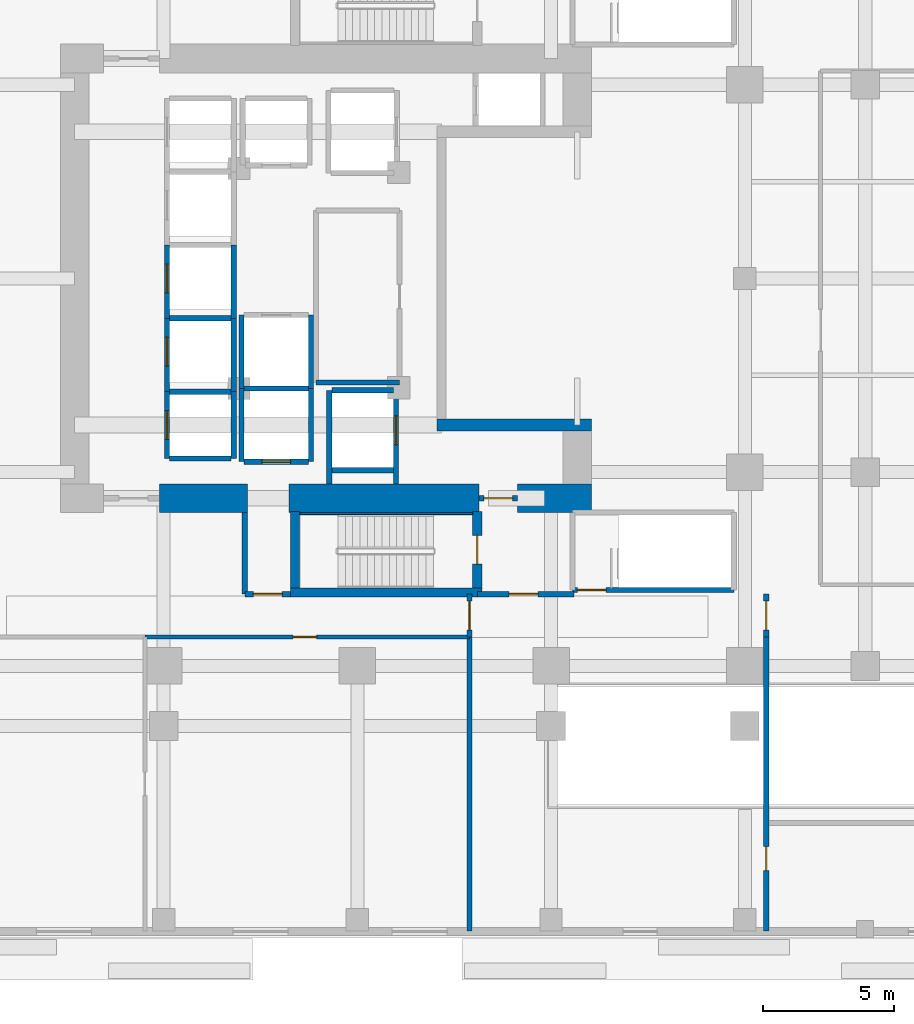
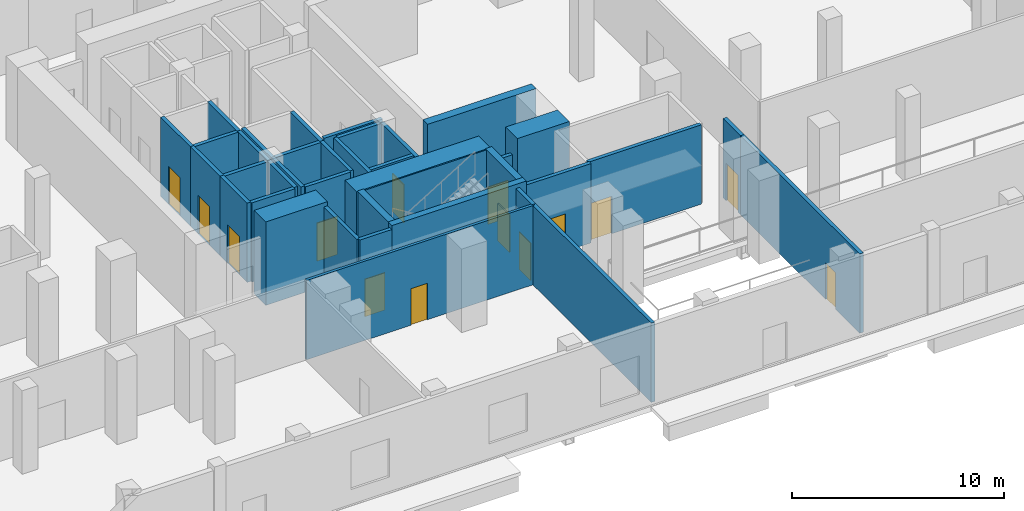
# One storey, part 14 of 24: 38 walls, 14 doors, 14 openings.
"""IFC4 building model written with IfcOpenShell, lengths in metres."""

from ifc_helpers import new_model, si_unit, direction, frame, frame_2d, origin, place, context, subcontext, project, spatial, rectangle, extrude, material, layer, layer_set, type_object, element, fill, save


model = new_model("IFC4")

# Units and contexts
model_context = context("Model", 3, precision=1e-05, world=origin(), true_north=direction((0.0, 1.0)))
body_context = subcontext(model_context, "Body", "Model", "MODEL_VIEW")
ifc_project = project(units=[si_unit("LENGTHUNIT", "METRE"), si_unit("AREAUNIT", "SQUARE_METRE"), si_unit("VOLUMEUNIT", "CUBIC_METRE"), si_unit("PLANEANGLEUNIT", "RADIAN"), si_unit("MASSUNIT", "GRAM", prefix="KILO")], contexts=[model_context])

# Site, building, storey
site_placement = place(None, origin())
site = spatial("IfcSite", under=ifc_project, at=site_placement, CompositionType="ELEMENT")
building_placement = place(site_placement, origin())
building = spatial("IfcBuilding", under=site, at=building_placement, Name="Khorvyn Point Tower", CompositionType="ELEMENT")
storey_placement = place(building_placement, origin())
storey = spatial("IfcBuildingStorey", under=building, at=storey_placement, Name="L01", CompositionType="ELEMENT", Elevation=0.0)

# Wall
ifc_material_1 = material(Name="Concrete C40/50", Category="concrete")
ifc_layer_1 = layer(ifc_material_1, 0.449951171875)
ifc_layer_set_1 = layer_set([ifc_layer_1], Name="Concrete C40/50 Core Shear Wall 450")
wall_type_1 = type_object("IfcWallType", Name="Concrete C40/50 Core Shear Wall 450", PredefinedType="SHEAR", material=ifc_layer_set_1)
wall_1_placement = place(storey_placement, frame((3.044921875, -5.60009765625, 0.0), z_axis=(0.0, 0.0, 1.0), x_axis=(1.0, 0.0, 0.0)))
element("IfcWall", 1, at=wall_1_placement, inside=storey, type_object=wall_type_1, Name="Wall", PredefinedType="SHEAR", context=body_context, shape_type="SweptSolid", body=[
    extrude(rectangle(XDim=5.905029296875, YDim=0.449951171875, at=frame_2d((2.95263671875, 0.0))), origin(), (0.0, 0.0, 1.0), 4.800048828125),
])

# Wall, opening, door
ifc_layer_2 = layer(ifc_material_1, 0.199951171875)
ifc_layer_set_2 = layer_set([ifc_layer_2], Name="Concrete C40/50 Fire-Lobby Compartment Wall 200")
wall_type_2 = type_object("IfcWallType", Name="Concrete C40/50 Fire-Lobby Compartment Wall 200", PredefinedType="SOLIDWALL", material=ifc_layer_set_2)
wall_2_placement = place(storey_placement, frame((4.580078125, -12.06005859375, 0.0), z_axis=(0.0, 0.0, 1.0), x_axis=(1.0, 0.0, 0.0)))
wall_2 = element("IfcWall", 2, at=wall_2_placement, inside=storey, type_object=wall_type_2, Name="Wall", PredefinedType="SOLIDWALL", context=body_context, shape_type="SweptSolid", body=[
    extrude(rectangle(XDim=3.699951171875, YDim=0.199951171875, at=frame_2d((1.85009765625, 0.0))), origin(), (0.0, 0.0, 1.0), 4.56005859375),
])
opening_1_placement = place(wall_2_placement, frame((1.21240234375, 0.0, 0.0)))
opening_1 = element("IfcOpeningElement", 3, at=opening_1_placement, cuts=wall_2, Name="Opening ID-FL90", PredefinedType="OPENING", context=body_context, shape_type="SweptSolid", body=[
    extrude(rectangle(XDim=1.10009765625, YDim=2.14990234375, at=frame_2d((0.550048828125, 1.074951171875))), frame((0.0, 0.10986328125, 0.0), z_axis=(0.0, -1.0, 0.0), x_axis=(1.0, 0.0, 0.0)), (0.0, 0.0, 1.0), 0.219970703125),
])
ifc_material_2 = material(Name="Galvanised powder-coated steel", Category="steel")
door_type_1 = type_object("IfcDoorType", Name="Fire-Rated Steel Lobby and Stair Door 1100x2150", OperationType="NOTDEFINED", PredefinedType="DOOR", material=ifc_material_2)
door_1_placement = place(opening_1_placement, origin())
door_1 = element("IfcDoor", 4, at=door_1_placement, inside=storey, type_object=door_type_1, Name="Door", OperationType="SINGLE_SWING_RIGHT", OverallHeight=2.14990234375, OverallWidth=1.10009765625, PredefinedType="DOOR", context=body_context, shape_type="SweptSolid", body=[
    extrude(rectangle(XDim=1.10009765625, YDim=2.14990234375, at=frame_2d((0.550048828125, 1.074951171875))), frame((0.0, 0.02490234375, 0.0), z_axis=(0.0, -1.0, 0.0), x_axis=(1.0, 0.0, 0.0)), (0.0, 0.0, 1.0), 0.050048828125),
])
fill(opening_1, door_1)

wall_3_placement = place(storey_placement, frame((4.64990234375, -8.39990234375, 0.0), z_axis=(0.0, 0.0, 1.0), x_axis=(1.0, 0.0, 0.0)))
wall_3 = element("IfcWall", 5, at=wall_3_placement, inside=storey, type_object=wall_type_2, Name="Wall", PredefinedType="SOLIDWALL", context=body_context, shape_type="SweptSolid", body=[
    extrude(rectangle(XDim=1.47021484375, YDim=0.199951171875, at=frame_2d((0.735107421875, 0.0))), origin(), (0.0, 0.0, 1.0), 3.60009765625),
])
opening_2_placement = place(wall_3_placement, frame((0.18505859375, 0.0, 0.0)))
opening_2 = element("IfcOpeningElement", 6, at=opening_2_placement, cuts=wall_3, Name="Opening ID-FL90", PredefinedType="OPENING", context=body_context, shape_type="SweptSolid", body=[
    extrude(rectangle(XDim=1.10009765625, YDim=2.14990234375, at=frame_2d((0.550048828125, 1.074951171875))), frame((0.0, 0.10986328125, 0.0), z_axis=(0.0, -1.0, 0.0), x_axis=(1.0, 0.0, 0.0)), (0.0, 0.0, 1.0), 0.219970703125),
])
door_2_placement = place(opening_2_placement, origin())
door_2 = element("IfcDoor", 7, at=door_2_placement, inside=storey, type_object=door_type_1, Name="Door", OperationType="SINGLE_SWING_LEFT", OverallHeight=2.14990234375, OverallWidth=1.10009765625, PredefinedType="DOOR", context=body_context, shape_type="SweptSolid", body=[
    extrude(rectangle(XDim=1.10009765625, YDim=2.14990234375, at=frame_2d((0.550048828125, 1.074951171875))), frame((0.0, 0.02490234375, 0.0), z_axis=(0.0, -1.0, 0.0), x_axis=(1.0, 0.0, 0.0)), (0.0, 0.0, 1.0), 0.050048828125),
])
fill(opening_2, door_2)

wall_4_placement = place(storey_placement, frame((-4.300048828125, -12.06005859375, 0.0), z_axis=(0.0, 0.0, 1.0), x_axis=(1.0, 0.0, 0.0)))
wall_4 = element("IfcWall", 8, at=wall_4_placement, inside=storey, type_object=wall_type_2, Name="Wall", PredefinedType="SOLIDWALL", context=body_context, shape_type="SweptSolid", body=[
    extrude(rectangle(XDim=1.75, YDim=0.199951171875, at=frame_2d((0.875, 0.0))), origin(), (0.0, 0.0, 1.0), 4.56005859375),
])
opening_3_placement = place(wall_4_placement, frame((0.324951171875, 0.0, 0.0)))
opening_3 = element("IfcOpeningElement", 9, at=opening_3_placement, cuts=wall_4, Name="Opening ID-FL90", PredefinedType="OPENING", context=body_context, shape_type="SweptSolid", body=[
    extrude(rectangle(XDim=1.10009765625, YDim=2.14990234375, at=frame_2d((0.550048828125, 1.074951171875))), frame((0.0, 0.10986328125, 0.0), z_axis=(0.0, -1.0, 0.0), x_axis=(1.0, 0.0, 0.0)), (0.0, 0.0, 1.0), 0.219970703125),
])
door_3_placement = place(opening_3_placement, origin())
door_3 = element("IfcDoor", 10, at=door_3_placement, inside=storey, type_object=door_type_1, Name="Door", OperationType="SINGLE_SWING_LEFT", OverallHeight=2.14990234375, OverallWidth=1.10009765625, PredefinedType="DOOR", context=body_context, shape_type="SweptSolid", body=[
    extrude(rectangle(XDim=1.10009765625, YDim=2.14990234375, at=frame_2d((0.550048828125, 1.074951171875))), frame((0.0, 0.02490234375, 0.0), z_axis=(0.0, -1.0, 0.0), x_axis=(1.0, 0.0, 0.0)), (0.0, 0.0, 1.0), 0.050048828125),
])
fill(opening_3, door_3)

wall_5_placement = place(storey_placement, frame((4.280029296875, -13.699951171875, 0.0), z_axis=(0.0, 0.0, 1.0), x_axis=(0.0, 1.0, 0.0)))
wall_5 = element("IfcWall", 11, at=wall_5_placement, inside=storey, type_object=wall_type_2, Name="Wall", PredefinedType="SOLIDWALL", context=body_context, shape_type="SweptSolid", body=[
    extrude(rectangle(XDim=1.639892578125, YDim=0.199951171875, at=frame_2d((0.81982421875, 0.0))), origin(), (0.0, 0.0, 1.0), 4.56005859375),
])
opening_4_placement = place(wall_5_placement, frame((0.27001953125, 0.0, 0.0)))
opening_4 = element("IfcOpeningElement", 12, at=opening_4_placement, cuts=wall_5, Name="Opening ID-FL90", PredefinedType="OPENING", context=body_context, shape_type="SweptSolid", body=[
    extrude(rectangle(XDim=1.10009765625, YDim=2.14990234375, at=frame_2d((0.550048828125, 1.074951171875))), frame((0.0, 0.10986328125, 0.0), z_axis=(0.0, -1.0, 0.0), x_axis=(1.0, 0.0, 0.0)), (0.0, 0.0, 1.0), 0.219970703125),
])
door_4_placement = place(opening_4_placement, origin())
door_4 = element("IfcDoor", 13, at=door_4_placement, inside=storey, type_object=door_type_1, Name="Door", OperationType="SINGLE_SWING_RIGHT", OverallHeight=2.14990234375, OverallWidth=1.10009765625, PredefinedType="DOOR", context=body_context, shape_type="SweptSolid", body=[
    extrude(rectangle(XDim=1.10009765625, YDim=2.14990234375, at=frame_2d((0.550048828125, 1.074951171875))), frame((0.0, 0.02490234375, 0.0), z_axis=(0.0, -1.0, 0.0), x_axis=(1.0, 0.0, 0.0)), (0.0, 0.0, 1.0), 0.050048828125),
])
fill(opening_4, door_4)

wall_6_placement = place(storey_placement, frame((15.6201171875, -13.699951171875, 0.0), z_axis=(0.0, 0.0, 1.0), x_axis=(0.0, 1.0, 0.0)))
wall_6 = element("IfcWall", 14, at=wall_6_placement, inside=storey, type_object=wall_type_2, Name="Wall", PredefinedType="SOLIDWALL", context=body_context, shape_type="SweptSolid", body=[
    extrude(rectangle(XDim=1.639892578125, YDim=0.199951171875, at=frame_2d((0.81982421875, 0.0))), origin(), (0.0, 0.0, 1.0), 4.56005859375),
])
opening_5_placement = place(wall_6_placement, frame((0.27001953125, 0.0, 0.0)))
opening_5 = element("IfcOpeningElement", 15, at=opening_5_placement, cuts=wall_6, Name="Opening ID-FL90", PredefinedType="OPENING", context=body_context, shape_type="SweptSolid", body=[
    extrude(rectangle(XDim=1.10009765625, YDim=2.14990234375, at=frame_2d((0.550048828125, 1.074951171875))), frame((0.0, 0.10986328125, 0.0), z_axis=(0.0, -1.0, 0.0), x_axis=(1.0, 0.0, 0.0)), (0.0, 0.0, 1.0), 0.219970703125),
])
door_5_placement = place(opening_5_placement, origin())
door_5 = element("IfcDoor", 16, at=door_5_placement, inside=storey, type_object=door_type_1, Name="Door", OperationType="SINGLE_SWING_LEFT", OverallHeight=2.14990234375, OverallWidth=1.10009765625, PredefinedType="DOOR", context=body_context, shape_type="SweptSolid", body=[
    extrude(rectangle(XDim=1.10009765625, YDim=2.14990234375, at=frame_2d((0.550048828125, 1.074951171875))), frame((0.0, 0.02490234375, 0.0), z_axis=(0.0, -1.0, 0.0), x_axis=(1.0, 0.0, 0.0)), (0.0, 0.0, 1.0), 0.050048828125),
])
fill(opening_5, door_5)

wall_7_placement = place(storey_placement, frame((15.6201171875, -24.919921875, 0.0), z_axis=(0.0, 0.0, 1.0), x_axis=(0.0, 1.0, 0.0)))
wall_7 = element("IfcWall", 17, at=wall_7_placement, inside=storey, type_object=wall_type_2, Name="Wall", PredefinedType="SOLIDWALL", context=body_context, shape_type="SweptSolid", body=[
    extrude(rectangle(XDim=11.219970703125, YDim=0.199951171875, at=frame_2d((5.60986328125, 0.0))), origin(), (0.0, 0.0, 1.0), 4.56005859375),
])
opening_6_placement = place(wall_7_placement, frame((2.298583984375, 0.0, 0.0)))
opening_6 = element("IfcOpeningElement", 18, at=opening_6_placement, cuts=wall_7, Name="Opening ID-RS60", PredefinedType="OPENING", context=body_context, shape_type="SweptSolid", body=[
    extrude(rectangle(XDim=0.919921875, YDim=2.10009765625, at=frame_2d((0.4599609375, 1.050048828125))), frame((0.0, 0.10986328125, 0.0), z_axis=(0.0, -1.0, 0.0), x_axis=(1.0, 0.0, 0.0)), (0.0, 0.0, 1.0), 0.219970703125),
])
door_type_2 = type_object("IfcDoorType", Name="Fire-Rated Riser and Store Steel Door 920x2100", OperationType="NOTDEFINED", PredefinedType="DOOR", material=ifc_material_2)
door_6_placement = place(opening_6_placement, origin())
door_6 = element("IfcDoor", 19, at=door_6_placement, inside=storey, type_object=door_type_2, Name="Door", OperationType="SINGLE_SWING_LEFT", OverallHeight=2.10009765625, OverallWidth=0.919921875, PredefinedType="DOOR", context=body_context, shape_type="SweptSolid", body=[
    extrude(rectangle(XDim=0.919921875, YDim=2.10009765625, at=frame_2d((0.4599609375, 1.050048828125))), frame((0.0, 0.02490234375, 0.0), z_axis=(0.0, -1.0, 0.0), x_axis=(1.0, 0.0, 0.0)), (0.0, 0.0, 1.0), 0.050048828125),
])
fill(opening_6, door_6)

# Walls
wall_8_placement = place(storey_placement, frame((-4.300048828125, -12.06005859375, 0.0), z_axis=(0.0, 0.0, 1.0), x_axis=(0.0, 1.0, 0.0)))
element("IfcWall", 20, at=wall_8_placement, inside=storey, type_object=wall_type_2, Name="Wall", PredefinedType="SOLIDWALL", context=body_context, shape_type="SweptSolid", body=[
    extrude(rectangle(XDim=3.110107421875, YDim=0.199951171875, at=frame_2d((1.55517578125, 0.0))), origin(), (0.0, 0.0, 1.0), 4.56005859375),
])
wall_9_placement = place(storey_placement, frame((-1.580078125, -3.97998046875, 0.0), z_axis=(0.0, 0.0, 1.0), x_axis=(1.0, 0.0, 0.0)))
element("IfcWall", 21, at=wall_9_placement, inside=storey, type_object=wall_type_2, Name="Wall", PredefinedType="SOLIDWALL", context=body_context, shape_type="SweptSolid", body=[
    extrude(rectangle(XDim=3.190185546875, YDim=0.199951171875, at=frame_2d((1.59521484375, 0.0))), origin(), (0.0, 0.0, 1.0), 4.56005859375),
])
wall_10_placement = place(storey_placement, frame((4.280029296875, -24.919921875, 0.0), z_axis=(0.0, 0.0, 1.0), x_axis=(0.0, 1.0, 0.0)))
element("IfcWall", 22, at=wall_10_placement, inside=storey, type_object=wall_type_2, Name="Wall", PredefinedType="SOLIDWALL", context=body_context, shape_type="SweptSolid", body=[
    extrude(rectangle(XDim=11.219970703125, YDim=0.199951171875, at=frame_2d((5.60986328125, 0.0))), origin(), (0.0, 0.0, 1.0), 4.56005859375),
])
ifc_layer_3 = layer(ifc_material_1, 0.25)
ifc_layer_set_3 = layer_set([ifc_layer_3], Name="Concrete C40/50 Stair Inner Cheek Structural Wall 250")
wall_type_3 = type_object("IfcWallType", Name="Concrete C40/50 Stair Inner Cheek Structural Wall 250", PredefinedType="SHEAR", material=ifc_layer_set_3)
wall_11_placement = place(storey_placement, frame((-2.199951171875, -8.987548828125, 0.0), z_axis=(0.0, 0.0, 1.0), x_axis=(1.0, 0.0, 0.0)))
element("IfcWall", 23, at=wall_11_placement, inside=storey, type_object=wall_type_3, Name="Wall", PredefinedType="SHEAR", context=body_context, shape_type="SweptSolid", body=[
    extrude(rectangle(XDim=6.599853515625, YDim=0.074951171875, at=frame_2d((3.2998046875, 0.0))), origin(), (0.0, 0.0, 1.0), 4.800048828125),
])
ifc_layer_4 = layer(ifc_material_1, 0.35009765625)
ifc_layer_set_4 = layer_set([ifc_layer_4], Name="Concrete C40/50 Stair Shaft Structural Wall 350")
wall_type_4 = type_object("IfcWallType", Name="Concrete C40/50 Stair Shaft Structural Wall 350", PredefinedType="SHEAR", material=ifc_layer_set_4)
wall_12_placement = place(storey_placement, frame((-2.554931640625, -12.0, 0.0), z_axis=(0.0, 0.0, 1.0), x_axis=(1.0, 0.0, 0.0)))
element("IfcWall", 24, at=wall_12_placement, inside=storey, type_object=wall_type_4, Name="L01 ST-01 South Shaft Wall", PredefinedType="SHEAR", context=body_context, shape_type="SweptSolid", body=[
    extrude(rectangle(XDim=7.309814453125, YDim=0.35009765625, at=frame_2d((3.65478515625, 0.0))), origin(), (0.0, 0.0, 1.0), 4.800048828125),
])
wall_13_placement = place(storey_placement, frame((-2.3798828125, -11.824951171875, 0.0), z_axis=(0.0, 0.0, 1.0), x_axis=(0.0, 1.0, 0.0)))
element("IfcWall", 25, at=wall_13_placement, inside=storey, type_object=wall_type_4, Name="L01 ST-01 West Shaft Wall", PredefinedType="SHEAR", context=body_context, shape_type="SweptSolid", body=[
    extrude(rectangle(XDim=2.925048828125, YDim=0.35009765625, at=frame_2d((1.46240234375, 0.0))), origin(), (0.0, 0.0, 1.0), 4.800048828125),
])

# Wall, opening, door
wall_14_placement = place(storey_placement, frame((4.580078125, -8.89990234375, 0.0), z_axis=(0.0, 0.0, 1.0), x_axis=(0.0, -1.0, 0.0)))
wall_14 = element("IfcWall", 26, at=wall_14_placement, inside=storey, type_object=wall_type_4, Name="L01 ST-01 East Landing Door Wall", PredefinedType="SHEAR", context=body_context, shape_type="SweptSolid", body=[
    extrude(rectangle(XDim=2.925048828125, YDim=0.35009765625, at=frame_2d((1.46240234375, 0.0))), origin(), (0.0, 0.0, 1.0), 4.800048828125),
])
opening_7_placement = place(wall_14_placement, frame((0.91259765625, 0.0, 0.0)))
opening_7 = element("IfcOpeningElement", 27, at=opening_7_placement, cuts=wall_14, Name="Opening ID-FL90", PredefinedType="OPENING", context=body_context, shape_type="SweptSolid", body=[
    extrude(rectangle(XDim=1.10009765625, YDim=2.14990234375, at=frame_2d((0.550048828125, 1.074951171875))), frame((0.0, 0.18505859375, 0.0), z_axis=(0.0, -1.0, 0.0), x_axis=(1.0, 0.0, 0.0)), (0.0, 0.0, 1.0), 0.3701171875),
])
door_7_placement = place(opening_7_placement, origin())
door_7 = element("IfcDoor", 28, at=door_7_placement, inside=storey, type_object=door_type_1, Name="L01 ST-01 Smokeproof Landing Door", OperationType="SINGLE_SWING_LEFT", OverallHeight=2.14990234375, OverallWidth=1.10009765625, PredefinedType="DOOR", context=body_context, shape_type="SweptSolid", body=[
    extrude(rectangle(XDim=1.10009765625, YDim=2.14990234375, at=frame_2d((0.550048828125, 1.074951171875))), frame((0.0, 0.02490234375, 0.0), z_axis=(0.0, -1.0, 0.0), x_axis=(1.0, 0.0, 0.0)), (0.0, 0.0, 1.0), 0.050048828125),
])
fill(opening_7, door_7)

ifc_layer_5 = layer(ifc_material_1, 0.199951171875)
ifc_layer_set_5 = layer_set([ifc_layer_5], Name="Concrete C40/50 Structural Hoistway and Stair Shaft Wall 200")
wall_type_5 = type_object("IfcWallType", Name="Concrete C40/50 Structural Hoistway and Stair Shaft Wall 200", PredefinedType="SHEAR", material=ifc_layer_set_5)
wall_15_placement = place(storey_placement, frame((-7.27490234375, -6.875, 0.0), z_axis=(0.0, 0.0, 1.0), x_axis=(0.0, 1.0, 0.0)))
wall_15 = element("IfcWall", 29, at=wall_15_placement, inside=storey, type_object=wall_type_5, Name="Wall", PredefinedType="SHEAR", context=body_context, shape_type="SweptSolid", body=[
    extrude(rectangle(XDim=2.550048828125, YDim=0.199951171875, at=frame_2d((1.27490234375, 0.0))), origin(), (0.0, 0.0, 1.0), 4.56005859375),
])
opening_8_placement = place(wall_15_placement, frame((0.72509765625, 0.0, 0.0)))
opening_8 = element("IfcOpeningElement", 30, at=opening_8_placement, cuts=wall_15, Name="Opening LD-1122", PredefinedType="OPENING", context=body_context, shape_type="SweptSolid", body=[
    extrude(rectangle(XDim=1.10009765625, YDim=2.199951171875, at=frame_2d((0.550048828125, 1.10009765625))), frame((0.0, 0.10986328125, 0.0), z_axis=(0.0, -1.0, 0.0), x_axis=(1.0, 0.0, 0.0)), (0.0, 0.0, 1.0), 0.219970703125),
])
ifc_material_3 = material(Name="Stainless steel 1.4301", Category="steel")
door_type_3 = type_object("IfcDoorType", Name="Stainless Steel Automatic Sliding Lift Landing Door 1100x2200", OperationType="SLIDING_TO_LEFT", PredefinedType="DOOR", material=ifc_material_3)
door_8_placement = place(opening_8_placement, origin())
door_8 = element("IfcDoor", 31, at=door_8_placement, inside=storey, type_object=door_type_3, Name="L01 RL-01 Sliding Lift Landing Door", OperationType="SLIDING_TO_LEFT", OverallHeight=2.199951171875, OverallWidth=1.10009765625, PredefinedType="DOOR", context=body_context, shape_type="SweptSolid", body=[
    extrude(rectangle(XDim=1.10009765625, YDim=2.199951171875, at=frame_2d((0.550048828125, 1.10009765625))), frame((0.0, 0.02490234375, 0.0), z_axis=(0.0, -1.0, 0.0), x_axis=(1.0, 0.0, 0.0)), (0.0, 0.0, 1.0), 0.050048828125),
])
fill(opening_8, door_8)

# Walls
wall_16_placement = place(storey_placement, frame((-4.72509765625, -6.875, 0.0), z_axis=(0.0, 0.0, 1.0), x_axis=(0.0, 1.0, 0.0)))
element("IfcWall", 32, at=wall_16_placement, inside=storey, type_object=wall_type_5, Name="Wall", PredefinedType="SHEAR", context=body_context, shape_type="SweptSolid", body=[
    extrude(rectangle(XDim=2.550048828125, YDim=0.199951171875, at=frame_2d((1.27490234375, 0.0))), origin(), (0.0, 0.0, 1.0), 4.56005859375),
])
for number, where, z_axis, x_axis, name in (
    (33, (-7.175048828125, -6.875, 0.0), (0.0, 0.0, 1.0), (1.0, 0.0, 0.0), "Wall"),
    (34, (-7.175048828125, -4.324951171875, 0.0), (0.0, 0.0, 1.0), (1.0, 0.0, 0.0), "Wall"),
):
    element("IfcWall", number, at=place(storey_placement, frame(where, z_axis=z_axis, x_axis=x_axis)), inside=storey, type_object=wall_type_5, Name=name, PredefinedType="SHEAR", context=body_context, shape_type="SweptSolid", body=[
        extrude(rectangle(XDim=2.35009765625, YDim=0.199951171875, at=frame_2d((1.175048828125, 0.0))), origin(), (0.0, 0.0, 1.0), 4.56005859375),
    ])

# Wall, opening, door
wall_17_placement = place(storey_placement, frame((-7.27490234375, -4.324951171875, 0.0), z_axis=(0.0, 0.0, 1.0), x_axis=(0.0, 1.0, 0.0)))
wall_17 = element("IfcWall", 35, at=wall_17_placement, inside=storey, type_object=wall_type_5, Name="Wall", PredefinedType="SHEAR", context=body_context, shape_type="SweptSolid", body=[
    extrude(rectangle(XDim=2.800048828125, YDim=0.199951171875, at=frame_2d((1.39990234375, 0.0))), origin(), (0.0, 0.0, 1.0), 4.56005859375),
])
opening_9_placement = place(wall_17_placement, frame((0.97509765625, 0.0, 0.0)))
opening_9 = element("IfcOpeningElement", 36, at=opening_9_placement, cuts=wall_17, Name="Opening LD-1122", PredefinedType="OPENING", context=body_context, shape_type="SweptSolid", body=[
    extrude(rectangle(XDim=1.10009765625, YDim=2.199951171875, at=frame_2d((0.550048828125, 1.10009765625))), frame((0.0, 0.10986328125, 0.0), z_axis=(0.0, -1.0, 0.0), x_axis=(1.0, 0.0, 0.0)), (0.0, 0.0, 1.0), 0.219970703125),
])
door_9_placement = place(opening_9_placement, origin())
door_9 = element("IfcDoor", 37, at=door_9_placement, inside=storey, type_object=door_type_3, Name="L01 RL-02 Sliding Lift Landing Door", OperationType="SLIDING_TO_LEFT", OverallHeight=2.199951171875, OverallWidth=1.10009765625, PredefinedType="DOOR", context=body_context, shape_type="SweptSolid", body=[
    extrude(rectangle(XDim=1.10009765625, YDim=2.199951171875, at=frame_2d((0.550048828125, 1.10009765625))), frame((0.0, 0.02490234375, 0.0), z_axis=(0.0, -1.0, 0.0), x_axis=(1.0, 0.0, 0.0)), (0.0, 0.0, 1.0), 0.050048828125),
])
fill(opening_9, door_9)

# Walls
wall_18_placement = place(storey_placement, frame((-4.72509765625, -4.324951171875, 0.0), z_axis=(0.0, 0.0, 1.0), x_axis=(0.0, 1.0, 0.0)))
element("IfcWall", 38, at=wall_18_placement, inside=storey, type_object=wall_type_5, Name="Wall", PredefinedType="SHEAR", context=body_context, shape_type="SweptSolid", body=[
    extrude(rectangle(XDim=2.800048828125, YDim=0.199951171875, at=frame_2d((1.39990234375, 0.0))), origin(), (0.0, 0.0, 1.0), 4.56005859375),
])
wall_19_placement = place(storey_placement, frame((-7.175048828125, -1.52490234375, 0.0), z_axis=(0.0, 0.0, 1.0), x_axis=(1.0, 0.0, 0.0)))
element("IfcWall", 39, at=wall_19_placement, inside=storey, type_object=wall_type_5, Name="Wall", PredefinedType="SHEAR", context=body_context, shape_type="SweptSolid", body=[
    extrude(rectangle(XDim=2.35009765625, YDim=0.199951171875, at=frame_2d((1.175048828125, 0.0))), origin(), (0.0, 0.0, 1.0), 4.56005859375),
])

# Wall, opening, door
wall_20_placement = place(storey_placement, frame((-7.27490234375, -1.52490234375, 0.0), z_axis=(0.0, 0.0, 1.0), x_axis=(0.0, 1.0, 0.0)))
wall_20 = element("IfcWall", 40, at=wall_20_placement, inside=storey, type_object=wall_type_5, Name="Wall", PredefinedType="SHEAR", context=body_context, shape_type="SweptSolid", body=[
    extrude(rectangle(XDim=2.7998046875, YDim=0.199951171875, at=frame_2d((1.39990234375, 0.0))), origin(), (0.0, 0.0, 1.0), 4.56005859375),
])
opening_10_placement = place(wall_20_placement, frame((0.97509765625, 0.0, 0.0)))
opening_10 = element("IfcOpeningElement", 41, at=opening_10_placement, cuts=wall_20, Name="Opening LD-1122", PredefinedType="OPENING", context=body_context, shape_type="SweptSolid", body=[
    extrude(rectangle(XDim=1.10009765625, YDim=2.199951171875, at=frame_2d((0.550048828125, 1.10009765625))), frame((0.0, 0.10986328125, 0.0), z_axis=(0.0, -1.0, 0.0), x_axis=(1.0, 0.0, 0.0)), (0.0, 0.0, 1.0), 0.219970703125),
])
door_10_placement = place(opening_10_placement, origin())
door_10 = element("IfcDoor", 42, at=door_10_placement, inside=storey, type_object=door_type_3, Name="L01 RL-03 Sliding Lift Landing Door", OperationType="SLIDING_TO_LEFT", OverallHeight=2.199951171875, OverallWidth=1.10009765625, PredefinedType="DOOR", context=body_context, shape_type="SweptSolid", body=[
    extrude(rectangle(XDim=1.10009765625, YDim=2.199951171875, at=frame_2d((0.550048828125, 1.10009765625))), frame((0.0, 0.02490234375, 0.0), z_axis=(0.0, -1.0, 0.0), x_axis=(1.0, 0.0, 0.0)), (0.0, 0.0, 1.0), 0.050048828125),
])
fill(opening_10, door_10)

# Walls
wall_21_placement = place(storey_placement, frame((-4.72509765625, -1.52490234375, 0.0), z_axis=(0.0, 0.0, 1.0), x_axis=(0.0, 1.0, 0.0)))
element("IfcWall", 43, at=wall_21_placement, inside=storey, type_object=wall_type_5, Name="Wall", PredefinedType="SHEAR", context=body_context, shape_type="SweptSolid", body=[
    extrude(rectangle(XDim=2.7998046875, YDim=0.199951171875, at=frame_2d((1.39990234375, 0.0))), origin(), (0.0, 0.0, 1.0), 4.56005859375),
])
for number, where, z_axis, x_axis, name in (
    (44, (-4.425048828125, -7.0, 0.0), (0.0, 0.0, 1.0), (0.0, 1.0, 0.0), "Wall"),
    (45, (-1.77490234375, -7.0, 0.0), (0.0, 0.0, 1.0), (0.0, 1.0, 0.0), "Wall"),
):
    element("IfcWall", number, at=place(storey_placement, frame(where, z_axis=z_axis, x_axis=x_axis)), inside=storey, type_object=wall_type_5, Name=name, PredefinedType="SHEAR", context=body_context, shape_type="SweptSolid", body=[
        extrude(rectangle(XDim=2.800048828125, YDim=0.199951171875, at=frame_2d((1.39990234375, 0.0))), origin(), (0.0, 0.0, 1.0), 4.56005859375),
    ])

# Wall, opening, door
wall_22_placement = place(storey_placement, frame((-4.324951171875, -7.0, 0.0), z_axis=(0.0, 0.0, 1.0), x_axis=(1.0, 0.0, 0.0)))
wall_22 = element("IfcWall", 46, at=wall_22_placement, inside=storey, type_object=wall_type_5, Name="Wall", PredefinedType="SHEAR", context=body_context, shape_type="SweptSolid", body=[
    extrude(rectangle(XDim=2.449951171875, YDim=0.199951171875, at=frame_2d((1.22509765625, 0.0))), origin(), (0.0, 0.0, 1.0), 4.56005859375),
])
opening_11_placement = place(wall_22_placement, frame((0.675048828125, 0.0, 0.0)))
opening_11 = element("IfcOpeningElement", 47, at=opening_11_placement, cuts=wall_22, Name="Opening LD-1122", PredefinedType="OPENING", context=body_context, shape_type="SweptSolid", body=[
    extrude(rectangle(XDim=1.10009765625, YDim=2.199951171875, at=frame_2d((0.550048828125, 1.10009765625))), frame((0.0, 0.10986328125, 0.0), z_axis=(0.0, -1.0, 0.0), x_axis=(1.0, 0.0, 0.0)), (0.0, 0.0, 1.0), 0.219970703125),
])
door_11_placement = place(opening_11_placement, origin())
door_11 = element("IfcDoor", 48, at=door_11_placement, inside=storey, type_object=door_type_3, Name="L01 RS-01 Sliding Lift Landing Door", OperationType="SLIDING_TO_LEFT", OverallHeight=2.199951171875, OverallWidth=1.10009765625, PredefinedType="DOOR", context=body_context, shape_type="SweptSolid", body=[
    extrude(rectangle(XDim=1.10009765625, YDim=2.199951171875, at=frame_2d((0.550048828125, 1.10009765625))), frame((0.0, 0.02490234375, 0.0), z_axis=(0.0, -1.0, 0.0), x_axis=(1.0, 0.0, 0.0)), (0.0, 0.0, 1.0), 0.050048828125),
])
fill(opening_11, door_11)

# Walls
wall_23_placement = place(storey_placement, frame((-4.324951171875, -4.199951171875, 0.0), z_axis=(0.0, 0.0, 1.0), x_axis=(1.0, 0.0, 0.0)))
element("IfcWall", 49, at=wall_23_placement, inside=storey, type_object=wall_type_5, Name="Wall", PredefinedType="SHEAR", context=body_context, shape_type="SweptSolid", body=[
    extrude(rectangle(XDim=2.449951171875, YDim=0.199951171875, at=frame_2d((1.22509765625, 0.0))), origin(), (0.0, 0.0, 1.0), 4.56005859375),
])
for number, where, z_axis, x_axis, name in (
    (50, (-4.425048828125, -4.199951171875, 0.0), (0.0, 0.0, 1.0), (0.0, 1.0, 0.0), "Wall"),
    (51, (-1.77490234375, -4.199951171875, 0.0), (0.0, 0.0, 1.0), (0.0, 1.0, 0.0), "Wall"),
):
    element("IfcWall", number, at=place(storey_placement, frame(where, z_axis=z_axis, x_axis=x_axis)), inside=storey, type_object=wall_type_5, Name=name, PredefinedType="SHEAR", context=body_context, shape_type="SweptSolid", body=[
        extrude(rectangle(XDim=2.800048828125, YDim=0.199951171875, at=frame_2d((1.39990234375, 0.0))), origin(), (0.0, 0.0, 1.0), 4.56005859375),
    ])
wall_24_placement = place(storey_placement, frame((-1.074951171875, -7.85009765625, 0.0), z_axis=(0.0, 0.0, 1.0), x_axis=(0.0, 1.0, 0.0)))
element("IfcWall", 52, at=wall_24_placement, inside=storey, type_object=wall_type_5, Name="Wall", PredefinedType="SHEAR", context=body_context, shape_type="SweptSolid", body=[
    extrude(rectangle(XDim=3.5751953125, YDim=0.199951171875, at=frame_2d((1.78759765625, 0.0))), origin(), (0.0, 0.0, 1.0), 4.56005859375),
])

# Wall, opening, door
wall_25_placement = place(storey_placement, frame((1.47509765625, -7.85009765625, 0.0), z_axis=(0.0, 0.0, 1.0), x_axis=(0.0, 1.0, 0.0)))
wall_25 = element("IfcWall", 53, at=wall_25_placement, inside=storey, type_object=wall_type_5, Name="Wall", PredefinedType="SHEAR", context=body_context, shape_type="SweptSolid", body=[
    extrude(rectangle(XDim=3.5751953125, YDim=0.199951171875, at=frame_2d((1.78759765625, 0.0))), origin(), (0.0, 0.0, 1.0), 4.56005859375),
])
opening_12_placement = place(wall_25_placement, frame((1.5, 0.0, 0.0)))
opening_12 = element("IfcOpeningElement", 54, at=opening_12_placement, cuts=wall_25, Name="Opening LD-1122", PredefinedType="OPENING", context=body_context, shape_type="SweptSolid", body=[
    extrude(rectangle(XDim=1.10009765625, YDim=2.199951171875, at=frame_2d((0.550048828125, 1.10009765625))), frame((0.0, 0.10986328125, 0.0), z_axis=(0.0, -1.0, 0.0), x_axis=(1.0, 0.0, 0.0)), (0.0, 0.0, 1.0), 0.219970703125),
])
door_12_placement = place(opening_12_placement, origin())
door_12 = element("IfcDoor", 55, at=door_12_placement, inside=storey, type_object=door_type_3, Name="L01 FF-01 Sliding Lift Landing Door", OperationType="SLIDING_TO_LEFT", OverallHeight=2.199951171875, OverallWidth=1.10009765625, PredefinedType="DOOR", context=body_context, shape_type="SweptSolid", body=[
    extrude(rectangle(XDim=1.10009765625, YDim=2.199951171875, at=frame_2d((0.550048828125, 1.10009765625))), frame((0.0, 0.02490234375, 0.0), z_axis=(0.0, -1.0, 0.0), x_axis=(1.0, 0.0, 0.0)), (0.0, 0.0, 1.0), 0.050048828125),
])
fill(opening_12, door_12)

# Walls
for number, where, z_axis, x_axis, name in (
    (56, (-0.97509765625, -7.324951171875, 0.0), (0.0, 0.0, 1.0), (1.0, 0.0, 0.0), "Wall"),
    (57, (-0.97509765625, -4.27490234375, 0.0), (0.0, 0.0, 1.0), (1.0, 0.0, 0.0), "Wall"),
):
    element("IfcWall", number, at=place(storey_placement, frame(where, z_axis=z_axis, x_axis=x_axis)), inside=storey, type_object=wall_type_5, Name=name, PredefinedType="SHEAR", context=body_context, shape_type="SweptSolid", body=[
        extrude(rectangle(XDim=2.35009765625, YDim=0.199951171875, at=frame_2d((1.175048828125, 0.0))), origin(), (0.0, 0.0, 1.0), 4.56005859375),
    ])

# Wall, opening, door
wall_26_placement = place(storey_placement, frame((14.3798828125, -11.89990234375, 0.0), z_axis=(0.0, 0.0, 1.0), x_axis=(-1.0, 0.0, 0.0)))
wall_26 = element("IfcWall", 58, at=wall_26_placement, inside=storey, type_object=wall_type_5, Name="Wall", PredefinedType="SHEAR", context=body_context, shape_type="SweptSolid", body=[
    extrude(rectangle(XDim=6.159912109375, YDim=0.199951171875, at=frame_2d((3.080078125, 0.0))), origin(), (0.0, 0.0, 1.0), 4.56005859375),
])
opening_13_placement = place(wall_26_placement, frame((4.8798828125, 0.0, 0.0)))
opening_13 = element("IfcOpeningElement", 59, at=opening_13_placement, cuts=wall_26, Name="Opening ID-FL90", PredefinedType="OPENING", context=body_context, shape_type="SweptSolid", body=[
    extrude(rectangle(XDim=1.10009765625, YDim=2.14990234375, at=frame_2d((0.550048828125, 1.074951171875))), frame((0.0, 0.10986328125, 0.0), z_axis=(0.0, -1.0, 0.0), x_axis=(1.0, 0.0, 0.0)), (0.0, 0.0, 1.0), 0.219970703125),
])
door_13_placement = place(opening_13_placement, origin())
door_13 = element("IfcDoor", 60, at=door_13_placement, inside=storey, type_object=door_type_1, Name="L01 ST-B1 Smokeproof Landing Door", OperationType="SINGLE_SWING_RIGHT", OverallHeight=2.14990234375, OverallWidth=1.10009765625, PredefinedType="DOOR", context=body_context, shape_type="SweptSolid", body=[
    extrude(rectangle(XDim=1.10009765625, YDim=2.14990234375, at=frame_2d((0.550048828125, 1.074951171875))), frame((0.0, 0.02490234375, 0.0), z_axis=(0.0, -1.0, 0.0), x_axis=(1.0, 0.0, 0.0)), (0.0, 0.0, 1.0), 0.050048828125),
])
fill(opening_13, door_13)

# Walls
ifc_material_4 = material(Name="Concrete C50/60", Category="concrete")
ifc_layer_6 = layer(ifc_material_4, 1.10009765625)
ifc_layer_set_6 = layer_set([ifc_layer_6], Name="Concrete C50/60 Core Shear Wall 1100")
wall_type_6 = type_object("IfcWallType", Name="Concrete C50/60 Core Shear Wall 1100", PredefinedType="SHEAR", material=ifc_layer_set_6)
wall_27_placement = place(storey_placement, frame((-7.550048828125, -8.39990234375, 0.0), z_axis=(0.0, 0.0, 1.0), x_axis=(1.0, 0.0, 0.0)))
element("IfcWall", 61, at=wall_27_placement, inside=storey, type_object=wall_type_6, Name="Wall", PredefinedType="SHEAR", context=body_context, shape_type="SweptSolid", body=[
    extrude(rectangle(XDim=3.35009765625, YDim=1.10009765625, at=frame_2d((1.675048828125, 0.0))), origin(), (0.0, 0.0, 1.0), 4.800048828125),
])
wall_28_placement = place(storey_placement, frame((-2.6201171875, -8.39990234375, 0.0), z_axis=(0.0, 0.0, 1.0), x_axis=(1.0, 0.0, 0.0)))
element("IfcWall", 62, at=wall_28_placement, inside=storey, type_object=wall_type_6, Name="Wall", PredefinedType="SHEAR", context=body_context, shape_type="SweptSolid", body=[
    extrude(rectangle(XDim=7.27001953125, YDim=1.10009765625, at=frame_2d((3.635009765625, 0.0))), origin(), (0.0, 0.0, 1.0), 4.800048828125),
])
wall_29_placement = place(storey_placement, frame((6.1201171875, -8.39990234375, 0.0), z_axis=(0.0, 0.0, 1.0), x_axis=(1.0, 0.0, 0.0)))
element("IfcWall", 63, at=wall_29_placement, inside=storey, type_object=wall_type_6, Name="Wall", PredefinedType="SHEAR", context=body_context, shape_type="SweptSolid", body=[
    extrude(rectangle(XDim=2.829833984375, YDim=1.10009765625, at=frame_2d((1.4150390625, 0.0))), origin(), (0.0, 0.0, 1.0), 4.800048828125),
])

# Wall, opening, door
ifc_material_5 = material(Name="Moisture-resistant gypsum and cement board", Category="gypsum")
ifc_layer_7 = layer(ifc_material_5, 0.14990234375)
ifc_layer_set_7 = layer_set([ifc_layer_7], Name="Moisture-Resistant Wet-Room Partition Wall 150")
wall_type_7 = type_object("IfcWallType", Name="Moisture-Resistant Wet-Room Partition Wall 150", PredefinedType="PARTITIONING", material=ifc_layer_set_7)
wall_30_placement = place(storey_placement, frame((-8.1201171875, -13.699951171875, 0.0), z_axis=(0.0, 0.0, 1.0), x_axis=(1.0, 0.0, 0.0)))
wall_30 = element("IfcWall", 64, at=wall_30_placement, inside=storey, type_object=wall_type_7, Name="Wall", PredefinedType="PARTITIONING", context=body_context, shape_type="SweptSolid", body=[
    extrude(rectangle(XDim=12.400146484375, YDim=0.14990234375, at=frame_2d((6.2001953125, 0.0))), origin(), (0.0, 0.0, 1.0), 4.56005859375),
])
opening_14_placement = place(wall_30_placement, frame((5.661376953125, 0.0, 0.0)))
opening_14 = element("IfcOpeningElement", 65, at=opening_14_placement, cuts=wall_30, Name="Opening ID-RM90", PredefinedType="OPENING", context=body_context, shape_type="SweptSolid", body=[
    extrude(rectangle(XDim=0.89990234375, YDim=2.10009765625, at=frame_2d((0.449951171875, 1.050048828125))), frame((0.0, 0.0849609375, 0.0), z_axis=(0.0, -1.0, 0.0), x_axis=(1.0, 0.0, 0.0)), (0.0, 0.0, 1.0), 0.169921875),
])
ifc_material_6 = material(Name="Engineered oak veneer timber", Category="wood")
door_type_4 = type_object("IfcDoorType", Name="Flush Engineered Timber Room Door 900x2100", OperationType="NOTDEFINED", PredefinedType="DOOR", material=ifc_material_6)
door_14_placement = place(opening_14_placement, origin())
door_14 = element("IfcDoor", 66, at=door_14_placement, inside=storey, type_object=door_type_4, Name="Door", OperationType="SINGLE_SWING_LEFT", OverallHeight=2.10009765625, OverallWidth=0.89990234375, PredefinedType="DOOR", context=body_context, shape_type="SweptSolid", body=[
    extrude(rectangle(XDim=0.89990234375, YDim=2.10009765625, at=frame_2d((0.449951171875, 1.050048828125))), frame((0.0, 0.02490234375, 0.0), z_axis=(0.0, -1.0, 0.0), x_axis=(1.0, 0.0, 0.0)), (0.0, 0.0, 1.0), 0.050048828125),
])
fill(opening_14, door_14)

save(model, "model.ifc")
